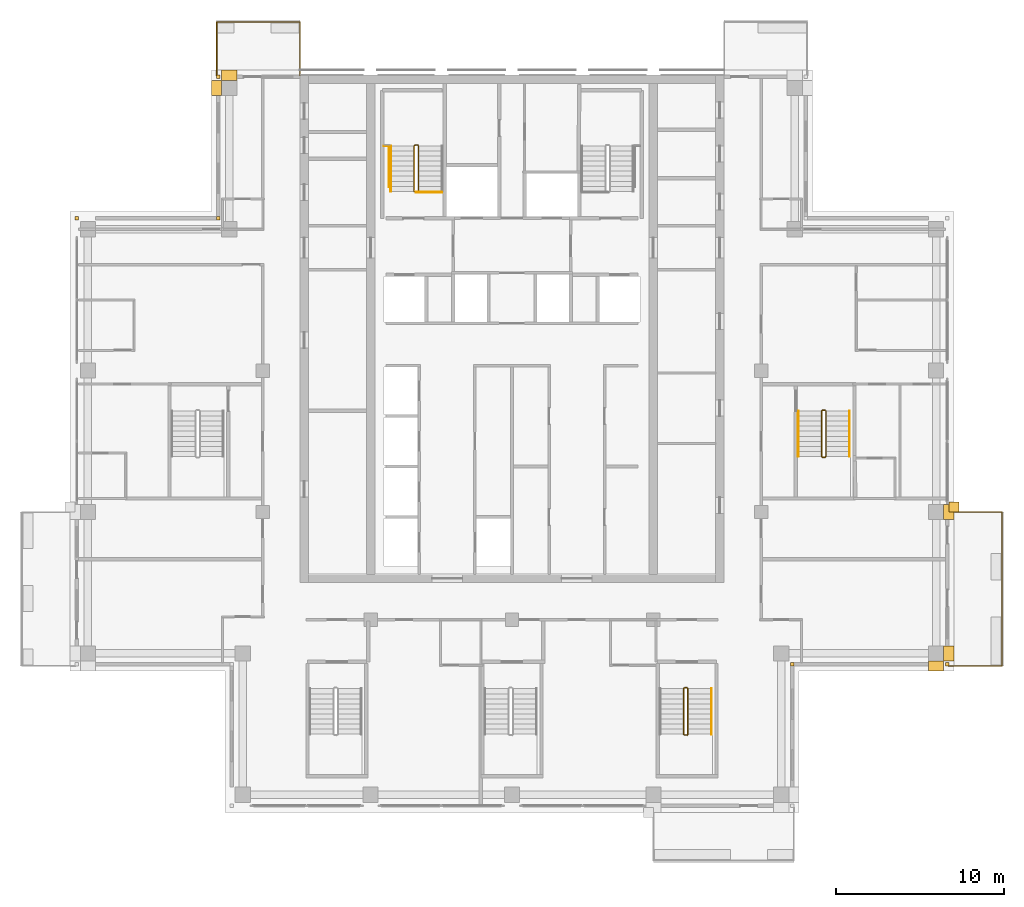
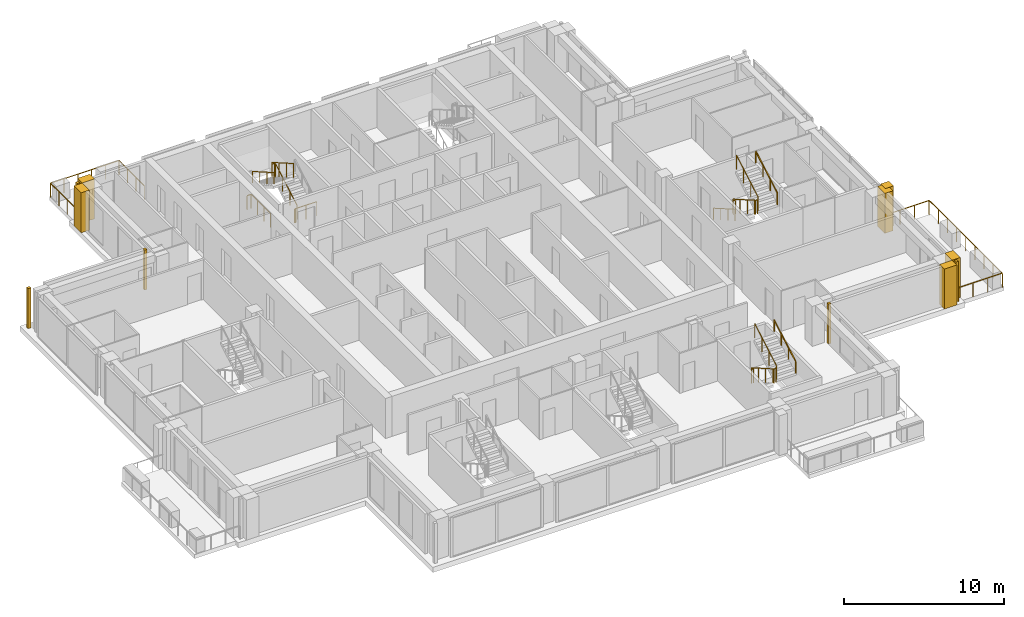
# One storey, part 17 of 18: 11 coverings, 11 railings.
"""IFC4 building model written with IfcOpenShell, lengths in metres."""

from ifc_helpers import new_model, si_unit, direction, frame, origin, origin_2d, place, context, subcontext, project, spatial, polyline, rectangle, outline, extrude, material, type_object, element, save


model = new_model("IFC4")

# Units and contexts
model_context = context("Model", 3, precision=1e-05, world=origin(), true_north=direction((0.0, 1.0)))
body_context = subcontext(model_context, "Body", "Model", "MODEL_VIEW")
ifc_project = project(units=[si_unit("LENGTHUNIT", "METRE"), si_unit("AREAUNIT", "SQUARE_METRE"), si_unit("VOLUMEUNIT", "CUBIC_METRE"), si_unit("PLANEANGLEUNIT", "RADIAN"), si_unit("MASSUNIT", "GRAM", prefix="KILO")], contexts=[model_context])

# Site, building, storey
site_placement = place(None, origin())
site = spatial("IfcSite", under=ifc_project, at=site_placement, CompositionType="ELEMENT")
building_placement = place(site_placement, origin())
building = spatial("IfcBuilding", under=site, at=building_placement, Name="Vermilion Ogive Tower", CompositionType="ELEMENT")
storey_placement = place(building_placement, frame((0.0, 0.0, 230.35009765625)))
storey = spatial("IfcBuildingStorey", under=building, at=storey_placement, Name="L60", CompositionType="ELEMENT", Elevation=230.35009765625)

# Railings
ifc_material_1 = material(Name="Stainless steel and glass", Category="steel")
railing_type_1 = type_object("IfcRailingType", Name="Balcony guard", PredefinedType="GUARDRAIL", material=ifc_material_1)
railing_1_placement = place(storey_placement, frame((25.949951171875, -13.35009765625, -0.0400390625)))
element("IfcRailing", 1, at=railing_1_placement, inside=storey, type_object=railing_type_1, Name="Guard E01", PredefinedType="GUARDRAIL", context=body_context, shape_type="SweptSolid", body=[
    extrude(rectangle(XDim=0.048095703125, YDim=0.048095703125, at=origin_2d()), frame((0.0, 0.0, 1.076171875), z_axis=(1.0, 0.0, 0.0), x_axis=(0.0, 1.0, 0.0)), (0.0, 0.0, 1.0), 3.16015625),
    extrude(rectangle(XDim=0.048095703125, YDim=0.048095703125, at=origin_2d()), frame((3.16015625, 0.0, 1.076171875), z_axis=(0.0, 1.0, 0.0), x_axis=(-1.0, 0.0, 0.0)), (0.0, 0.0, 1.0), 9.150146484375),
    extrude(rectangle(XDim=0.048095703125, YDim=0.048095703125, at=origin_2d()), frame((3.16015625, 9.150146484375, 1.076171875), z_axis=(-1.0, 0.0, 0.0), x_axis=(0.0, -1.0, 0.0)), (0.0, 0.0, 1.0), 3.16015625),
    extrude(rectangle(XDim=0.0419921875, YDim=0.0419921875, at=origin_2d()), origin(), (0.0, 0.0, 1.0), 1.052001953125),
    extrude(rectangle(XDim=0.0419921875, YDim=0.0419921875, at=origin_2d()), frame((1.053466796875, 0.0, 0.0)), (0.0, 0.0, 1.0), 1.052001953125),
    extrude(rectangle(XDim=0.0419921875, YDim=0.0419921875, at=origin_2d()), frame((2.106689453125, 0.0, 0.0)), (0.0, 0.0, 1.0), 1.052001953125),
    extrude(rectangle(XDim=0.0419921875, YDim=0.0419921875, at=origin_2d()), frame((3.16015625, 0.0, 0.0)), (0.0, 0.0, 1.0), 1.052001953125),
    extrude(rectangle(XDim=0.0419921875, YDim=0.0419921875, at=origin_2d()), frame((3.16015625, 1.143798828125, 0.0)), (0.0, 0.0, 1.0), 1.052001953125),
    extrude(rectangle(XDim=0.0419921875, YDim=0.0419921875, at=origin_2d()), frame((3.16015625, 2.28759765625, 0.0)), (0.0, 0.0, 1.0), 1.052001953125),
    extrude(rectangle(XDim=0.0419921875, YDim=0.0419921875, at=origin_2d()), frame((3.16015625, 3.431396484375, 0.0)), (0.0, 0.0, 1.0), 1.052001953125),
    extrude(rectangle(XDim=0.0419921875, YDim=0.0419921875, at=origin_2d()), frame((3.16015625, 4.5751953125, 0.0)), (0.0, 0.0, 1.0), 1.052001953125),
    extrude(rectangle(XDim=0.0419921875, YDim=0.0419921875, at=origin_2d()), frame((3.16015625, 5.71875, 0.0)), (0.0, 0.0, 1.0), 1.052001953125),
    extrude(rectangle(XDim=0.0419921875, YDim=0.0419921875, at=origin_2d()), frame((3.16015625, 6.862548828125, 0.0)), (0.0, 0.0, 1.0), 1.052001953125),
    extrude(rectangle(XDim=0.0419921875, YDim=0.0419921875, at=origin_2d()), frame((3.16015625, 8.00634765625, 0.0)), (0.0, 0.0, 1.0), 1.052001953125),
    extrude(rectangle(XDim=0.0419921875, YDim=0.0419921875, at=origin_2d()), frame((3.16015625, 9.150146484375, 0.0)), (0.0, 0.0, 1.0), 1.052001953125),
    extrude(rectangle(XDim=0.0419921875, YDim=0.0419921875, at=origin_2d()), frame((2.106689453125, 9.150146484375, 0.0)), (0.0, 0.0, 1.0), 1.052001953125),
    extrude(rectangle(XDim=0.0419921875, YDim=0.0419921875, at=origin_2d()), frame((1.053466796875, 9.150146484375, 0.0)), (0.0, 0.0, 1.0), 1.052001953125),
    extrude(rectangle(XDim=0.0419921875, YDim=0.0419921875, at=origin_2d()), frame((0.0, 9.150146484375, 0.0)), (0.0, 0.0, 1.0), 1.052001953125),
])
railing_2_placement = place(storey_placement, frame((-12.60009765625, 21.75, -0.0400390625)))
element("IfcRailing", 2, at=railing_2_placement, inside=storey, type_object=railing_type_1, Name="Guard N201", PredefinedType="GUARDRAIL", context=body_context, shape_type="SweptSolid", body=[
    extrude(rectangle(XDim=0.048095703125, YDim=0.048095703125, at=origin_2d()), frame((0.0, 0.0, 1.076171875), z_axis=(0.0, 1.0, 0.0), x_axis=(-1.0, 0.0, 0.0)), (0.0, 0.0, 1.0), 3.159912109375),
    extrude(rectangle(XDim=0.048095703125, YDim=0.048095703125, at=origin_2d()), frame((0.0, 3.159912109375, 1.076171875), z_axis=(-1.0, 0.0, 0.0), x_axis=(0.0, -1.0, 0.0)), (0.0, 0.0, 1.0), 4.949951171875),
    extrude(rectangle(XDim=0.048095703125, YDim=0.048095703125, at=origin_2d()), frame((-4.949951171875, 3.159912109375, 1.076171875), z_axis=(0.0, -1.0, 0.0), x_axis=(1.0, 0.0, 0.0)), (0.0, 0.0, 1.0), 3.159912109375),
    extrude(rectangle(XDim=0.0419921875, YDim=0.0419921875, at=origin_2d()), origin(), (0.0, 0.0, 1.0), 1.052001953125),
    extrude(rectangle(XDim=0.0419921875, YDim=0.0419921875, at=origin_2d()), frame((0.0, 1.05322265625, 0.0)), (0.0, 0.0, 1.0), 1.052001953125),
    extrude(rectangle(XDim=0.0419921875, YDim=0.0419921875, at=origin_2d()), frame((0.0, 2.106689453125, 0.0)), (0.0, 0.0, 1.0), 1.052001953125),
    extrude(rectangle(XDim=0.0419921875, YDim=0.0419921875, at=origin_2d()), frame((0.0, 3.159912109375, 0.0)), (0.0, 0.0, 1.0), 1.052001953125),
    extrude(rectangle(XDim=0.0419921875, YDim=0.0419921875, at=origin_2d()), frame((-0.989990234375, 3.159912109375, 0.0)), (0.0, 0.0, 1.0), 1.052001953125),
    extrude(rectangle(XDim=0.0419921875, YDim=0.0419921875, at=origin_2d()), frame((-1.97998046875, 3.159912109375, 0.0)), (0.0, 0.0, 1.0), 1.052001953125),
    extrude(rectangle(XDim=0.0419921875, YDim=0.0419921875, at=origin_2d()), frame((-2.969970703125, 3.159912109375, 0.0)), (0.0, 0.0, 1.0), 1.052001953125),
    extrude(rectangle(XDim=0.0419921875, YDim=0.0419921875, at=origin_2d()), frame((-3.9599609375, 3.159912109375, 0.0)), (0.0, 0.0, 1.0), 1.052001953125),
    extrude(rectangle(XDim=0.0419921875, YDim=0.0419921875, at=origin_2d()), frame((-4.949951171875, 3.159912109375, 0.0)), (0.0, 0.0, 1.0), 1.052001953125),
    extrude(rectangle(XDim=0.0419921875, YDim=0.0419921875, at=origin_2d()), frame((-4.949951171875, 2.106689453125, 0.0)), (0.0, 0.0, 1.0), 1.052001953125),
    extrude(rectangle(XDim=0.0419921875, YDim=0.0419921875, at=origin_2d()), frame((-4.949951171875, 1.05322265625, 0.0)), (0.0, 0.0, 1.0), 1.052001953125),
    extrude(rectangle(XDim=0.0419921875, YDim=0.0419921875, at=origin_2d()), frame((-4.949951171875, 0.0, 0.0)), (0.0, 0.0, 1.0), 1.052001953125),
])
ifc_material_2 = material(Name="Steel S355 painted", Category="steel")
railing_type_2 = type_object("IfcRailingType", Name="Stair guard 1100", PredefinedType="GUARDRAIL", material=ifc_material_2)
railing_3_placement = place(storey_placement, frame((-5.75, 14.800048828125, 0.0)))
element("IfcRailing", 3, at=railing_3_placement, inside=storey, type_object=railing_type_2, Name="L60 ST1 stair guard 4", PredefinedType="GUARDRAIL", context=body_context, shape_type="SweptSolid", body=[
    extrude(rectangle(XDim=0.048095703125, YDim=0.048095703125, at=origin_2d()), frame((0.0, 0.0, 1.076171875), z_axis=(1.0, 0.0, 0.0), x_axis=(0.0, 1.0, 0.0)), (0.0, 0.0, 1.0), 0.14990234375),
    extrude(rectangle(XDim=0.048095703125, YDim=0.048095703125, at=origin_2d()), frame((0.14990234375, 0.0, 1.076171875), z_axis=(0.268603158521, 0.268603158521, 0.925043072762), x_axis=(-0.707106781187, 0.707106781187, 0.0)), (0.0, 0.0, 1.0), 0.186279296875),
    extrude(rectangle(XDim=0.048095703125, YDim=0.048095703125, at=origin_2d()), frame((0.199951171875, 0.050048828125, 1.24853515625), z_axis=(0.0, 0.866903762492, 0.498475542607), x_axis=(-1.0, 0.0, 0.0)), (0.0, 0.0, 1.0), 3.114501953125),
    extrude(rectangle(XDim=0.048095703125, YDim=0.048095703125, at=origin_2d()), frame((0.199951171875, 2.75, 2.80078125), z_axis=(-0.707106781187, 0.707106781187, 0.0), x_axis=(-0.707106781187, -0.707106781187, 0.0)), (0.0, 0.0, 1.0), 0.07080078125),
    extrude(rectangle(XDim=0.048095703125, YDim=0.048095703125, at=origin_2d()), frame((0.14990234375, 2.800048828125, 2.80078125), z_axis=(-1.0, 0.0, 0.0), x_axis=(0.0, -1.0, 0.0)), (0.0, 0.0, 1.0), 0.14990234375),
    extrude(rectangle(XDim=0.048095703125, YDim=0.048095703125, at=origin_2d()), frame((0.0, 2.800048828125, 2.80078125), z_axis=(-0.268277960024, -0.268277960024, 0.925231793839), x_axis=(0.707106781187, -0.707106781187, 0.0)), (0.0, 0.0, 1.0), 0.1865234375),
    extrude(rectangle(XDim=0.048095703125, YDim=0.048095703125, at=origin_2d()), frame((-0.050048828125, 2.75, 2.9736328125), z_axis=(0.0, -0.866903762492, 0.498475542607), x_axis=(1.0, 0.0, 0.0)), (0.0, 0.0, 1.0), 3.114501953125),
    extrude(rectangle(XDim=0.0419921875, YDim=0.0419921875, at=origin_2d()), origin(), (0.0, 0.0, 1.0), 1.052001953125),
    extrude(rectangle(XDim=0.0419921875, YDim=0.0419921875, at=origin_2d()), frame((0.14990234375, 0.0, 0.0)), (0.0, 0.0, 1.0), 1.052001953125),
    extrude(rectangle(XDim=0.0419921875, YDim=0.0419921875, at=origin_2d()), frame((0.199951171875, 0.050048828125, 0.17236328125)), (0.0, 0.0, 1.0), 1.052001953125),
    extrude(rectangle(XDim=0.0419921875, YDim=0.0419921875, at=origin_2d()), frame((0.199951171875, 0.949951171875, 0.68994140625)), (0.0, 0.0, 1.0), 1.052001953125),
    extrude(rectangle(XDim=0.0419921875, YDim=0.0419921875, at=origin_2d()), frame((0.199951171875, 1.85009765625, 1.207275390625)), (0.0, 0.0, 1.0), 1.052001953125),
    extrude(rectangle(XDim=0.0419921875, YDim=0.0419921875, at=origin_2d()), frame((0.199951171875, 2.75, 1.724853515625)), (0.0, 0.0, 1.0), 1.052001953125),
    extrude(rectangle(XDim=0.0419921875, YDim=0.0419921875, at=origin_2d()), frame((0.14990234375, 2.800048828125, 1.724853515625)), (0.0, 0.0, 1.0), 1.052001953125),
    extrude(rectangle(XDim=0.0419921875, YDim=0.0419921875, at=origin_2d()), frame((0.0, 2.800048828125, 1.724853515625)), (0.0, 0.0, 1.0), 1.052001953125),
    extrude(rectangle(XDim=0.0419921875, YDim=0.0419921875, at=origin_2d()), frame((-0.050048828125, 2.75, 1.8974609375)), (0.0, 0.0, 1.0), 1.052001953125),
    extrude(rectangle(XDim=0.0419921875, YDim=0.0419921875, at=origin_2d()), frame((-0.050048828125, 1.85009765625, 2.4150390625)), (0.0, 0.0, 1.0), 1.052001953125),
    extrude(rectangle(XDim=0.0419921875, YDim=0.0419921875, at=origin_2d()), frame((-0.050048828125, 0.949951171875, 2.932373046875)), (0.0, 0.0, 1.0), 1.052001953125),
    extrude(rectangle(XDim=0.0419921875, YDim=0.0419921875, at=origin_2d()), frame((-0.050048828125, 0.050048828125, 3.449951171875)), (0.0, 0.0, 1.0), 1.052001953125),
])
railing_4_placement = place(storey_placement, frame((10.39990234375, -14.64990234375, 0.0)))
element("IfcRailing", 4, at=railing_4_placement, inside=storey, type_object=railing_type_2, Name="L60 ST5 stair guard 4", PredefinedType="GUARDRAIL", context=body_context, shape_type="SweptSolid", body=[
    extrude(rectangle(XDim=0.048095703125, YDim=0.048095703125, at=origin_2d()), frame((0.0, 0.0, 1.076171875), z_axis=(-1.0, 0.0, 0.0), x_axis=(0.0, -1.0, 0.0)), (0.0, 0.0, 1.0), 0.14990234375),
    extrude(rectangle(XDim=0.048095703125, YDim=0.048095703125, at=origin_2d()), frame((-0.14990234375, 0.0, 1.076171875), z_axis=(-0.268603158521, -0.268603158521, 0.925043072762), x_axis=(0.707106781187, -0.707106781187, 0.0)), (0.0, 0.0, 1.0), 0.186279296875),
    extrude(rectangle(XDim=0.048095703125, YDim=0.048095703125, at=origin_2d()), frame((-0.199951171875, -0.050048828125, 1.24853515625), z_axis=(0.0, -0.866903762492, 0.498475542607), x_axis=(1.0, 0.0, 0.0)), (0.0, 0.0, 1.0), 3.114501953125),
    extrude(rectangle(XDim=0.048095703125, YDim=0.048095703125, at=origin_2d()), frame((-0.199951171875, -2.75, 2.80078125), z_axis=(0.707106781187, -0.707106781187, 0.0), x_axis=(0.707106781187, 0.707106781187, 0.0)), (0.0, 0.0, 1.0), 0.07080078125),
    extrude(rectangle(XDim=0.048095703125, YDim=0.048095703125, at=origin_2d()), frame((-0.14990234375, -2.800048828125, 2.80078125), z_axis=(1.0, 0.0, 0.0), x_axis=(0.0, 1.0, 0.0)), (0.0, 0.0, 1.0), 0.14990234375),
    extrude(rectangle(XDim=0.048095703125, YDim=0.048095703125, at=origin_2d()), frame((0.0, -2.800048828125, 2.80078125), z_axis=(0.268277960024, 0.268277960024, 0.925231793839), x_axis=(-0.707106781187, 0.707106781187, 0.0)), (0.0, 0.0, 1.0), 0.1865234375),
    extrude(rectangle(XDim=0.048095703125, YDim=0.048095703125, at=origin_2d()), frame((0.050048828125, -2.75, 2.9736328125), z_axis=(0.0, 0.866903762492, 0.498475542607), x_axis=(-1.0, 0.0, 0.0)), (0.0, 0.0, 1.0), 3.114501953125),
    extrude(rectangle(XDim=0.0419921875, YDim=0.0419921875, at=origin_2d()), origin(), (0.0, 0.0, 1.0), 1.052001953125),
    extrude(rectangle(XDim=0.0419921875, YDim=0.0419921875, at=origin_2d()), frame((-0.14990234375, 0.0, 0.0)), (0.0, 0.0, 1.0), 1.052001953125),
    extrude(rectangle(XDim=0.0419921875, YDim=0.0419921875, at=origin_2d()), frame((-0.199951171875, -0.050048828125, 0.17236328125)), (0.0, 0.0, 1.0), 1.052001953125),
    extrude(rectangle(XDim=0.0419921875, YDim=0.0419921875, at=origin_2d()), frame((-0.199951171875, -0.949951171875, 0.68994140625)), (0.0, 0.0, 1.0), 1.052001953125),
    extrude(rectangle(XDim=0.0419921875, YDim=0.0419921875, at=origin_2d()), frame((-0.199951171875, -1.85009765625, 1.207275390625)), (0.0, 0.0, 1.0), 1.052001953125),
    extrude(rectangle(XDim=0.0419921875, YDim=0.0419921875, at=origin_2d()), frame((-0.199951171875, -2.75, 1.724853515625)), (0.0, 0.0, 1.0), 1.052001953125),
    extrude(rectangle(XDim=0.0419921875, YDim=0.0419921875, at=origin_2d()), frame((-0.14990234375, -2.800048828125, 1.724853515625)), (0.0, 0.0, 1.0), 1.052001953125),
    extrude(rectangle(XDim=0.0419921875, YDim=0.0419921875, at=origin_2d()), frame((0.0, -2.800048828125, 1.724853515625)), (0.0, 0.0, 1.0), 1.052001953125),
    extrude(rectangle(XDim=0.0419921875, YDim=0.0419921875, at=origin_2d()), frame((0.050048828125, -2.75, 1.8974609375)), (0.0, 0.0, 1.0), 1.052001953125),
    extrude(rectangle(XDim=0.0419921875, YDim=0.0419921875, at=origin_2d()), frame((0.050048828125, -1.85009765625, 2.4150390625)), (0.0, 0.0, 1.0), 1.052001953125),
    extrude(rectangle(XDim=0.0419921875, YDim=0.0419921875, at=origin_2d()), frame((0.050048828125, -0.949951171875, 2.932373046875)), (0.0, 0.0, 1.0), 1.052001953125),
    extrude(rectangle(XDim=0.0419921875, YDim=0.0419921875, at=origin_2d()), frame((0.050048828125, -0.050048828125, 3.449951171875)), (0.0, 0.0, 1.0), 1.052001953125),
])
railing_5_placement = place(storey_placement, frame((18.60009765625, 1.85009765625, 0.0)))
element("IfcRailing", 5, at=railing_5_placement, inside=storey, type_object=railing_type_2, Name="L60 ST8 stair guard 4", PredefinedType="GUARDRAIL", context=body_context, shape_type="SweptSolid", body=[
    extrude(rectangle(XDim=0.048095703125, YDim=0.048095703125, at=origin_2d()), frame((0.0, 0.0, 1.076171875), z_axis=(-1.0, 0.0, 0.0), x_axis=(0.0, -1.0, 0.0)), (0.0, 0.0, 1.0), 0.150146484375),
    extrude(rectangle(XDim=0.048095703125, YDim=0.048095703125, at=origin_2d()), frame((-0.150146484375, 0.0, 1.076171875), z_axis=(-0.268603158521, -0.268603158521, 0.925043072762), x_axis=(0.707106781187, -0.707106781187, 0.0)), (0.0, 0.0, 1.0), 0.186279296875),
    extrude(rectangle(XDim=0.048095703125, YDim=0.048095703125, at=origin_2d()), frame((-0.2001953125, -0.050048828125, 1.24853515625), z_axis=(0.0, -0.866903762492, 0.498475542607), x_axis=(1.0, 0.0, 0.0)), (0.0, 0.0, 1.0), 3.114501953125),
    extrude(rectangle(XDim=0.048095703125, YDim=0.048095703125, at=origin_2d()), frame((-0.2001953125, -2.75, 2.80078125), z_axis=(0.707106781187, -0.707106781187, 0.0), x_axis=(0.707106781187, 0.707106781187, 0.0)), (0.0, 0.0, 1.0), 0.07080078125),
    extrude(rectangle(XDim=0.048095703125, YDim=0.048095703125, at=origin_2d()), frame((-0.150146484375, -2.800048828125, 2.80078125), z_axis=(1.0, 0.0, 0.0), x_axis=(0.0, 1.0, 0.0)), (0.0, 0.0, 1.0), 0.150146484375),
    extrude(rectangle(XDim=0.048095703125, YDim=0.048095703125, at=origin_2d()), frame((0.0, -2.800048828125, 2.80078125), z_axis=(0.267062837333, 0.268371968888, 0.925556009775), x_axis=(-0.708833529934, 0.705375805398, 0.0)), (0.0, 0.0, 1.0), 0.1865234375),
    extrude(rectangle(XDim=0.048095703125, YDim=0.048095703125, at=origin_2d()), frame((0.0498046875, -2.75, 2.9736328125), z_axis=(0.0, 0.866903762492, 0.498475542607), x_axis=(-1.0, 0.0, 0.0)), (0.0, 0.0, 1.0), 3.114501953125),
    extrude(rectangle(XDim=0.0419921875, YDim=0.0419921875, at=origin_2d()), origin(), (0.0, 0.0, 1.0), 1.052001953125),
    extrude(rectangle(XDim=0.0419921875, YDim=0.0419921875, at=origin_2d()), frame((-0.150146484375, 0.0, 0.0)), (0.0, 0.0, 1.0), 1.052001953125),
    extrude(rectangle(XDim=0.0419921875, YDim=0.0419921875, at=origin_2d()), frame((-0.2001953125, -0.050048828125, 0.17236328125)), (0.0, 0.0, 1.0), 1.052001953125),
    extrude(rectangle(XDim=0.0419921875, YDim=0.0419921875, at=origin_2d()), frame((-0.2001953125, -0.949951171875, 0.68994140625)), (0.0, 0.0, 1.0), 1.052001953125),
    extrude(rectangle(XDim=0.0419921875, YDim=0.0419921875, at=origin_2d()), frame((-0.2001953125, -1.85009765625, 1.207275390625)), (0.0, 0.0, 1.0), 1.052001953125),
    extrude(rectangle(XDim=0.0419921875, YDim=0.0419921875, at=origin_2d()), frame((-0.2001953125, -2.75, 1.724853515625)), (0.0, 0.0, 1.0), 1.052001953125),
    extrude(rectangle(XDim=0.0419921875, YDim=0.0419921875, at=origin_2d()), frame((-0.150146484375, -2.800048828125, 1.724853515625)), (0.0, 0.0, 1.0), 1.052001953125),
    extrude(rectangle(XDim=0.0419921875, YDim=0.0419921875, at=origin_2d()), frame((0.0, -2.800048828125, 1.724853515625)), (0.0, 0.0, 1.0), 1.052001953125),
    extrude(rectangle(XDim=0.0419921875, YDim=0.0419921875, at=origin_2d()), frame((0.0498046875, -2.75, 1.8974609375)), (0.0, 0.0, 1.0), 1.052001953125),
    extrude(rectangle(XDim=0.0419921875, YDim=0.0419921875, at=origin_2d()), frame((0.0498046875, -1.85009765625, 2.4150390625)), (0.0, 0.0, 1.0), 1.052001953125),
    extrude(rectangle(XDim=0.0419921875, YDim=0.0419921875, at=origin_2d()), frame((0.0498046875, -0.949951171875, 2.932373046875)), (0.0, 0.0, 1.0), 1.052001953125),
    extrude(rectangle(XDim=0.0419921875, YDim=0.0419921875, at=origin_2d()), frame((0.0498046875, -0.050048828125, 3.449951171875)), (0.0, 0.0, 1.0), 1.052001953125),
])
railing_6_placement = place(storey_placement, frame((-4.159912109375, 14.7900390625, 0.0)))
element("IfcRailing", 6, at=railing_6_placement, inside=storey, type_object=railing_type_2, Name="L60 stair opening guard", PredefinedType="GUARDRAIL", context=body_context, shape_type="SweptSolid", body=[
    extrude(rectangle(XDim=0.048095703125, YDim=0.048095703125, at=origin_2d()), frame((0.0, 0.0, 1.076171875), z_axis=(-1.0, 0.0, 0.0), x_axis=(0.0, -1.0, 0.0)), (0.0, 0.0, 1.0), 1.5400390625),
    extrude(rectangle(XDim=0.0419921875, YDim=0.0419921875, at=origin_2d()), origin(), (0.0, 0.0, 1.0), 1.052001953125),
    extrude(rectangle(XDim=0.0419921875, YDim=0.0419921875, at=origin_2d()), frame((-0.77001953125, 0.0, 0.0)), (0.0, 0.0, 1.0), 1.052001953125),
    extrude(rectangle(XDim=0.0419921875, YDim=0.0419921875, at=origin_2d()), frame((-1.5400390625, 0.0, 0.0)), (0.0, 0.0, 1.0), 1.052001953125),
])
railing_7_placement = place(storey_placement, frame((-7.3095703125, 15.11865234375, 0.0)))
element("IfcRailing", 7, at=railing_7_placement, inside=storey, type_object=railing_type_2, Name="L60 stair opening guard", PredefinedType="GUARDRAIL", context=body_context, shape_type="SweptSolid", body=[
    extrude(rectangle(XDim=0.048095703125, YDim=0.048095703125, at=origin_2d()), frame((0.0, 0.0, 1.076171875), z_axis=(0.0, 1.0, 0.0), x_axis=(-1.0, 0.0, 0.0)), (0.0, 0.0, 1.0), 2.42431640625),
    extrude(rectangle(XDim=0.048095703125, YDim=0.048095703125, at=origin_2d()), frame((0.0, 2.42431640625, 1.076171875), z_axis=(-1.0, 0.0, 0.0), x_axis=(0.0, -1.0, 0.0)), (0.0, 0.0, 1.0), 0.2900390625),
    extrude(rectangle(XDim=0.0419921875, YDim=0.0419921875, at=origin_2d()), origin(), (0.0, 0.0, 1.0), 1.052001953125),
    extrude(rectangle(XDim=0.0419921875, YDim=0.0419921875, at=origin_2d()), frame((0.0, 0.80810546875, 0.0)), (0.0, 0.0, 1.0), 1.052001953125),
    extrude(rectangle(XDim=0.0419921875, YDim=0.0419921875, at=origin_2d()), frame((0.0, 1.6162109375, 0.0)), (0.0, 0.0, 1.0), 1.052001953125),
    extrude(rectangle(XDim=0.0419921875, YDim=0.0419921875, at=origin_2d()), frame((0.0, 2.42431640625, 0.0)), (0.0, 0.0, 1.0), 1.052001953125),
    extrude(rectangle(XDim=0.0419921875, YDim=0.0419921875, at=origin_2d()), frame((-0.2900390625, 2.42431640625, 0.0)), (0.0, 0.0, 1.0), 1.052001953125),
])
ifc_material_3 = material(Name="Stainless steel", Category="steel")
railing_type_3 = type_object("IfcRailingType", Name="Stair handrail 900", PredefinedType="HANDRAIL", material=ifc_material_3)
railing_8_placement = place(storey_placement, frame((-7.199951171875, 17.550048828125, 1.8974609375)))
element("IfcRailing", 8, at=railing_8_placement, inside=storey, type_object=railing_type_3, Name="L60 ST1 stair handrail 2", PredefinedType="HANDRAIL", context=body_context, shape_type="SweptSolid", body=[
    extrude(rectangle(XDim=0.048095703125, YDim=0.048095703125, at=origin_2d()), frame((0.0, 0.0, 0.8759765625), z_axis=(0.0, -0.866903762492, 0.498475542607), x_axis=(1.0, 0.0, 0.0)), (0.0, 0.0, 1.0), 3.114501953125),
    extrude(rectangle(XDim=0.0419921875, YDim=0.0419921875, at=origin_2d()), origin(), (0.0, 0.0, 1.0), 0.851806640625),
    extrude(rectangle(XDim=0.0419921875, YDim=0.0419921875, at=origin_2d()), frame((0.0, -0.89990234375, 0.517578125)), (0.0, 0.0, 1.0), 0.851806640625),
    extrude(rectangle(XDim=0.0419921875, YDim=0.0419921875, at=origin_2d()), frame((0.0, -1.800048828125, 1.034912109375)), (0.0, 0.0, 1.0), 0.851806640625),
    extrude(rectangle(XDim=0.0419921875, YDim=0.0419921875, at=origin_2d()), frame((0.0, -2.699951171875, 1.552490234375)), (0.0, 0.0, 1.0), 0.851806640625),
])
railing_9_placement = place(storey_placement, frame((11.85009765625, -17.39990234375, 1.8974609375)))
element("IfcRailing", 9, at=railing_9_placement, inside=storey, type_object=railing_type_3, Name="L60 ST5 stair handrail 2", PredefinedType="HANDRAIL", context=body_context, shape_type="SweptSolid", body=[
    extrude(rectangle(XDim=0.048095703125, YDim=0.048095703125, at=origin_2d()), frame((0.0, 0.0, 0.8759765625), z_axis=(0.0, 0.866903762492, 0.498475542607), x_axis=(-1.0, 0.0, 0.0)), (0.0, 0.0, 1.0), 3.114501953125),
    extrude(rectangle(XDim=0.0419921875, YDim=0.0419921875, at=origin_2d()), origin(), (0.0, 0.0, 1.0), 0.851806640625),
    extrude(rectangle(XDim=0.0419921875, YDim=0.0419921875, at=origin_2d()), frame((0.0, 0.89990234375, 0.517578125)), (0.0, 0.0, 1.0), 0.851806640625),
    extrude(rectangle(XDim=0.0419921875, YDim=0.0419921875, at=origin_2d()), frame((0.0, 1.800048828125, 1.034912109375)), (0.0, 0.0, 1.0), 0.851806640625),
    extrude(rectangle(XDim=0.0419921875, YDim=0.0419921875, at=origin_2d()), frame((0.0, 2.699951171875, 1.552490234375)), (0.0, 0.0, 1.0), 0.851806640625),
])
railing_10_placement = place(storey_placement, frame((17.0, 1.800048828125, 0.17236328125)))
element("IfcRailing", 10, at=railing_10_placement, inside=storey, type_object=railing_type_3, Name="L60 ST8 stair handrail 1", PredefinedType="HANDRAIL", context=body_context, shape_type="SweptSolid", body=[
    extrude(rectangle(XDim=0.048095703125, YDim=0.048095703125, at=origin_2d()), frame((0.0, 0.0, 0.8759765625), z_axis=(0.0, -0.866903762492, 0.498475542607), x_axis=(1.0, 0.0, 0.0)), (0.0, 0.0, 1.0), 3.114501953125),
    extrude(rectangle(XDim=0.0419921875, YDim=0.0419921875, at=origin_2d()), origin(), (0.0, 0.0, 1.0), 0.851806640625),
    extrude(rectangle(XDim=0.0419921875, YDim=0.0419921875, at=origin_2d()), frame((0.0, -0.89990234375, 0.517578125)), (0.0, 0.0, 1.0), 0.851806640625),
    extrude(rectangle(XDim=0.0419921875, YDim=0.0419921875, at=origin_2d()), frame((0.0, -1.800048828125, 1.034912109375)), (0.0, 0.0, 1.0), 0.851806640625),
    extrude(rectangle(XDim=0.0419921875, YDim=0.0419921875, at=origin_2d()), frame((0.0, -2.699951171875, 1.552490234375)), (0.0, 0.0, 1.0), 0.851806640625),
])
railing_11_placement = place(storey_placement, frame((20.050048828125, -0.89990234375, 1.8974609375)))
element("IfcRailing", 11, at=railing_11_placement, inside=storey, type_object=railing_type_3, Name="L60 ST8 stair handrail 2", PredefinedType="HANDRAIL", context=body_context, shape_type="SweptSolid", body=[
    extrude(rectangle(XDim=0.048095703125, YDim=0.048095703125, at=origin_2d()), frame((0.0, 0.0, 0.8759765625), z_axis=(0.0, 0.866903762492, 0.498475542607), x_axis=(-1.0, 0.0, 0.0)), (0.0, 0.0, 1.0), 3.114501953125),
    extrude(rectangle(XDim=0.0419921875, YDim=0.0419921875, at=origin_2d()), origin(), (0.0, 0.0, 1.0), 0.851806640625),
    extrude(rectangle(XDim=0.0419921875, YDim=0.0419921875, at=origin_2d()), frame((0.0, 0.89990234375, 0.517578125)), (0.0, 0.0, 1.0), 0.851806640625),
    extrude(rectangle(XDim=0.0419921875, YDim=0.0419921875, at=origin_2d()), frame((0.0, 1.800048828125, 1.034912109375)), (0.0, 0.0, 1.0), 0.851806640625),
    extrude(rectangle(XDim=0.0419921875, YDim=0.0419921875, at=origin_2d()), frame((0.0, 2.699951171875, 1.552490234375)), (0.0, 0.0, 1.0), 0.851806640625),
])

# Coverings
ifc_material_4 = material(Name="Stone cladding", Category="masonry")
covering_type_1 = type_object("IfcCoveringType", Name="Stone corner buttress", PredefinedType="CLADDING", material=ifc_material_4)
covering_1_placement = place(storey_placement, origin())
element("IfcCovering", 12, at=covering_1_placement, inside=storey, type_object=covering_type_1, Name="Stone crease pier EK", PredefinedType="CLADDING", context=body_context, shape_type="SweptSolid", body=[
    extrude(outline(polyline([(26.550048828125, -4.199951171875), (26.550048828125, -3.60009765625), (25.949951171875, -3.60009765625), (25.949951171875, -4.199951171875), (26.550048828125, -4.199951171875)])), origin(), (0.0, 0.0, 1.0), 3.0498046875),
])
ifc_material_5 = material(Name="Stone cladding", Category="masonry")
covering_type_2 = type_object("IfcCoveringType", Name="Stone pier", PredefinedType="CLADDING", material=ifc_material_5)
covering_2_placement = place(storey_placement, origin())
element("IfcCovering", 13, at=covering_2_placement, inside=storey, type_object=covering_type_2, Name="Stone corner pier X1E1", PredefinedType="CLADDING", context=body_context, shape_type="SweptSolid", body=[
    extrude(outline(polyline([(16.550048828125, -13.14990234375), (16.75, -13.14990234375), (16.75, -13.35009765625), (16.550048828125, -13.35009765625), (16.550048828125, -13.14990234375)])), origin(), (0.0, 0.0, 1.0), 3.0498046875),
])
covering_3_placement = place(storey_placement, origin())
element("IfcCovering", 14, at=covering_3_placement, inside=storey, type_object=covering_type_2, Name="Stone corner pier X2E1", PredefinedType="CLADDING", context=body_context, shape_type="SweptSolid", body=[
    extrude(outline(polyline([(25.75, -13.14990234375), (25.949951171875, -13.14990234375), (25.949951171875, -13.35009765625), (25.75, -13.35009765625), (25.75, -13.14990234375)])), origin(), (0.0, 0.0, 1.0), 3.0498046875),
])
covering_4_placement = place(storey_placement, origin())
element("IfcCovering", 15, at=covering_4_placement, inside=storey, type_object=covering_type_2, Name="Stone corner pier N2E1", PredefinedType="CLADDING", context=body_context, shape_type="SweptSolid", body=[
    extrude(outline(polyline([(-17.35009765625, 21.550048828125), (-17.550048828125, 21.550048828125), (-17.550048828125, 21.75), (-17.35009765625, 21.75), (-17.35009765625, 21.550048828125)])), origin(), (0.0, 0.0, 1.0), 3.0498046875),
])
covering_5_placement = place(storey_placement, origin())
element("IfcCovering", 16, at=covering_5_placement, inside=storey, type_object=covering_type_2, Name="Stone corner pier X5E1", PredefinedType="CLADDING", context=body_context, shape_type="SweptSolid", body=[
    extrude(outline(polyline([(-17.35009765625, 13.14990234375), (-17.550048828125, 13.14990234375), (-17.550048828125, 13.35009765625), (-17.35009765625, 13.35009765625), (-17.35009765625, 13.14990234375)])), origin(), (0.0, 0.0, 1.0), 3.0498046875),
])
covering_6_placement = place(storey_placement, origin())
element("IfcCovering", 17, at=covering_6_placement, inside=storey, type_object=covering_type_2, Name="Stone corner pier X6E1", PredefinedType="CLADDING", context=body_context, shape_type="SweptSolid", body=[
    extrude(outline(polyline([(-25.75, 13.14990234375), (-25.949951171875, 13.14990234375), (-25.949951171875, 13.35009765625), (-25.75, 13.35009765625), (-25.75, 13.14990234375)])), origin(), (0.0, 0.0, 1.0), 3.0498046875),
])
covering_7_placement = place(storey_placement, origin())
element("IfcCovering", 18, at=covering_7_placement, inside=storey, type_object=covering_type_2, Name="Stone pier P+0252-042", PredefinedType="CLADDING", context=body_context, shape_type="SweptSolid", body=[
    extrude(outline(polyline([(25.949951171875, -3.75), (25.949951171875, -4.199951171875), (26.25, -4.199951171875), (26.25, -4.64990234375), (25.64990234375, -4.64990234375), (25.64990234375, -3.75), (25.949951171875, -3.75)])), origin(), (0.0, 0.0, 1.0), 3.0498046875),
])
covering_8_placement = place(storey_placement, origin())
element("IfcCovering", 19, at=covering_8_placement, inside=storey, type_object=covering_type_2, Name="Stone pier P+0252-126X2", PredefinedType="CLADDING", context=body_context, shape_type="SweptSolid", body=[
    extrude(outline(polyline([(25.64990234375, -13.64990234375), (24.75, -13.64990234375), (24.75, -13.050048828125), (25.64990234375, -13.050048828125), (25.64990234375, -13.64990234375)])), origin(), (0.0, 0.0, 1.0), 3.0498046875),
])
covering_9_placement = place(storey_placement, origin())
element("IfcCovering", 20, at=covering_9_placement, inside=storey, type_object=covering_type_2, Name="Stone pier P+0252-126E", PredefinedType="CLADDING", context=body_context, shape_type="SweptSolid", body=[
    extrude(outline(polyline([(26.25, -13.050048828125), (25.64990234375, -13.050048828125), (25.64990234375, -12.14990234375), (26.25, -12.14990234375), (26.25, -13.050048828125)])), origin(), (0.0, 0.0, 1.0), 3.0498046875),
])
covering_10_placement = place(storey_placement, origin())
element("IfcCovering", 21, at=covering_10_placement, inside=storey, type_object=covering_type_2, Name="Stone pier P-0168+210N2", PredefinedType="CLADDING", context=body_context, shape_type="SweptSolid", body=[
    extrude(outline(polyline([(-17.25, 21.449951171875), (-17.25, 22.050048828125), (-16.35009765625, 22.050048828125), (-16.35009765625, 21.449951171875), (-17.25, 21.449951171875), (-17.25, 21.449951171875)])), origin(), (0.0, 0.0, 1.0), 3.0498046875),
])
covering_11_placement = place(storey_placement, origin())
element("IfcCovering", 22, at=covering_11_placement, inside=storey, type_object=covering_type_2, Name="Stone pier P-0168+210X5", PredefinedType="CLADDING", context=body_context, shape_type="SweptSolid", body=[
    extrude(outline(polyline([(-17.85009765625, 21.449951171875), (-17.25, 21.449951171875), (-17.25, 21.449951171875), (-17.25, 20.550048828125), (-17.85009765625, 20.550048828125), (-17.85009765625, 21.449951171875)])), origin(), (0.0, 0.0, 1.0), 3.0498046875),
])

save(model, "model.ifc")
